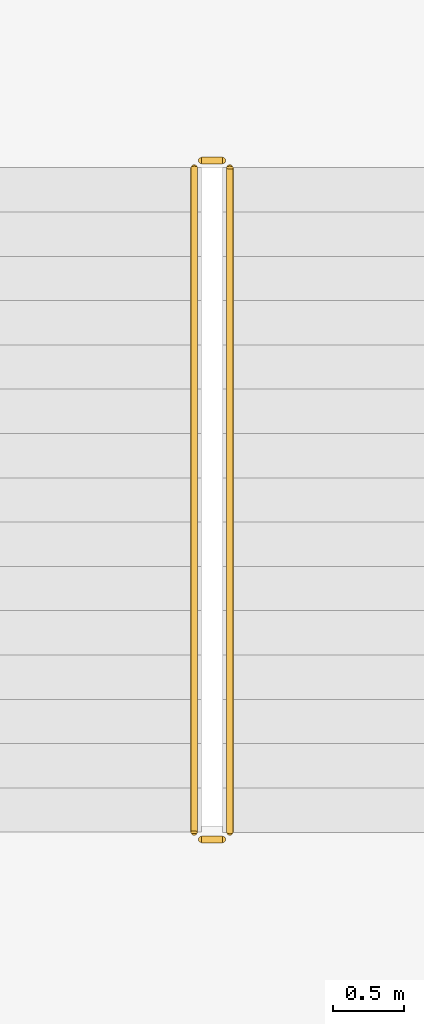
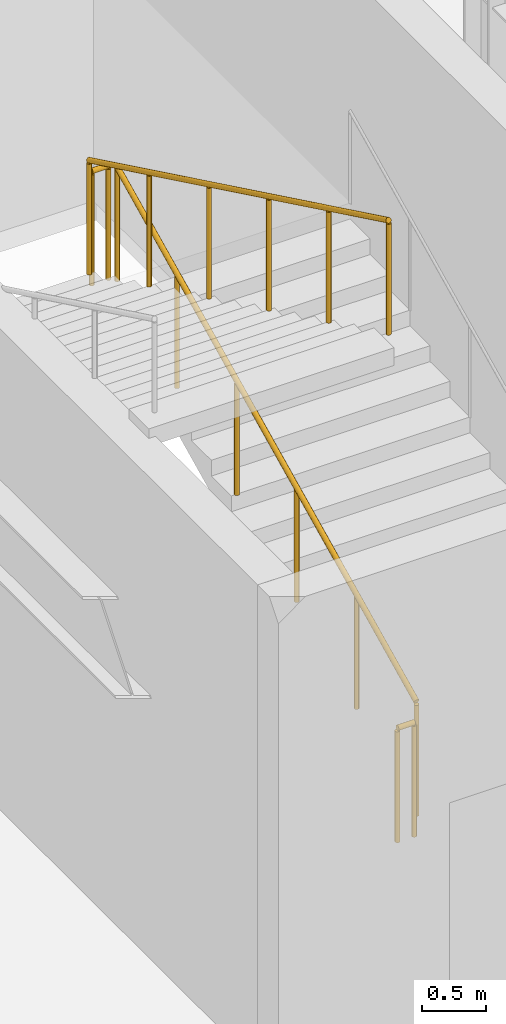
# One storey, part 124 of 126: 4 railings.
"""IFC4 building model written with IfcOpenShell, lengths in metres."""

import ifcopenshell
import ifcopenshell.guid

model = None  # the IFC model being written
_history = None  # IfcOwnerHistory: only IFC2X3 demands one
_inside = {}  # id of a spatial element -> (the spatial element, [elements in it])
_under = {}  # id of a project, library or spatial element -> (it, [spatial elements below it])
_declared = {}  # id of a project -> (the project, [libraries it declares])
_typed = {}  # id of a type object -> (the type object, [elements of that type])
_made_of = {}  # id of a material, layer set ... -> (it, [elements and type objects made of it])


def new_model(schema):
    """Start an empty IFC model of exactly this schema.

    Asked for "IFC4X3", IfcOpenShell would pick the latest addendum, in which some entities
    have other attributes; the version numbers below select the first issue.
    IFC2X3 requires an IfcOwnerHistory on every rooted entity: one is made here for all.
    """
    global model, _history
    if schema == "IFC4X3":
        model = ifcopenshell.file(schema_version=(4, 3, 0, 0))
    else:
        model = ifcopenshell.file(schema=schema)
    _inside.clear()
    _under.clear()
    _declared.clear()
    _typed.clear()
    _made_of.clear()
    _history = None
    if model.schema == "IFC2X3":
        org = make("IfcOrganization", Name="unknown")
        user = make(
            "IfcPersonAndOrganization",
            ThePerson=make("IfcPerson", FamilyName="unknown"),
            TheOrganization=org,
        )
        app = make(
            "IfcApplication",
            ApplicationDeveloper=org,
            Version="unknown",
            ApplicationFullName="unknown",
            ApplicationIdentifier="unknown",
        )
        _history = make(
            "IfcOwnerHistory",
            OwningUser=user,
            OwningApplication=app,
            ChangeAction="ADDED",
            CreationDate=0,
        )
    return model


def make(cls, **values):
    """One entity of the class cls with the attributes given. An attribute that is None is left unset."""
    return model.create_entity(
        cls, **{name: value for name, value in values.items() if value is not None}
    )


def rooted(cls, **values):
    """An entity with a GlobalId (a new one), such as an element, a storey or a relation."""
    return make(cls, GlobalId=ifcopenshell.guid.new(), OwnerHistory=_history, **values)


def si_unit(unit_type, name, prefix=None):
    """IfcSIUnit, for example si_unit("LENGTHUNIT", "METRE", prefix="MILLI")."""
    return make("IfcSIUnit", UnitType=unit_type, Prefix=prefix, Name=name)


def assignment(units):
    """IfcUnitAssignment: the units of a project."""
    return None if units is None else make("IfcUnitAssignment", Units=units)


def point(xyz):
    """IfcCartesianPoint."""
    return None if xyz is None else make("IfcCartesianPoint", Coordinates=xyz)


def direction(xyz):
    """IfcDirection."""
    return None if xyz is None else make("IfcDirection", DirectionRatios=xyz)


def frame(location, z_axis=None, x_axis=None):
    """IfcAxis2Placement3D, a coordinate frame: its origin and axes. An axis left out is left unset."""
    return make(
        "IfcAxis2Placement3D",
        Location=point(location),
        Axis=direction(z_axis),
        RefDirection=direction(x_axis),
    )


def frame_2d(location, x_axis=None):
    """IfcAxis2Placement2D, a coordinate frame in the plane: its origin and x axis."""
    return make(
        "IfcAxis2Placement2D", Location=point(location), RefDirection=direction(x_axis)
    )


def origin():
    """The frame at (0, 0, 0) with its axes left unset."""
    return frame((0.0, 0.0, 0.0))


def origin_2d():
    """The frame at (0, 0) in the plane with its x axis left unset."""
    return frame_2d((0.0, 0.0))


def place(relative_to, where):
    """IfcLocalPlacement: puts the frame where relative to a parent placement (None: the world)."""
    return make(
        "IfcLocalPlacement", PlacementRelTo=relative_to, RelativePlacement=where
    )


def context(
    kind, dimensions, precision=None, world=None, true_north=None, identifier=None
):
    """IfcGeometricRepresentationContext, for example the 3D "Model" context."""
    return make(
        "IfcGeometricRepresentationContext",
        ContextIdentifier=identifier,
        ContextType=kind,
        CoordinateSpaceDimension=dimensions,
        Precision=precision,
        WorldCoordinateSystem=world,
        TrueNorth=true_north,
    )


def subcontext(parent, identifier, kind, view, scale=None):
    """IfcGeometricRepresentationSubContext, for example "Body" below "Model"."""
    return make(
        "IfcGeometricRepresentationSubContext",
        ContextIdentifier=identifier,
        ContextType=kind,
        ParentContext=parent,
        TargetScale=scale,
        TargetView=view,
    )


def project(units=None, contexts=None):
    """IfcProject with its units and contexts."""
    return rooted(
        "IfcProject",
        Name="project",
        RepresentationContexts=contexts,
        UnitsInContext=assignment(units),
    )


def spatial(cls, under=None, at=None, **own):
    """A site, building, storey or space (cls), placed at a placement, below another one or the project."""
    s = rooted(cls, ObjectPlacement=at, **own)
    if under is not None:
        _under.setdefault(under.id(), (under, []))[1].append(s)
    return s


def profile(cls, at=None, kind="AREA", **sizes):
    """A parametric profile (cls). Its sizes go by their IFC names, for example OverallWidth=200.0."""
    return make(cls, ProfileType=kind, Position=at, **sizes)


def circle(**sizes):
    """IfcCircleProfileDef."""
    return profile("IfcCircleProfileDef", **sizes)


def extrude(swept, where, along, depth):
    """IfcExtrudedAreaSolid: the profile swept, set in the frame where, extruded along a direction by depth."""
    return make(
        "IfcExtrudedAreaSolid",
        SweptArea=swept,
        Position=where,
        ExtrudedDirection=direction(along),
        Depth=depth,
    )


def shape(context_of_items, identifier, shape_type, items):
    """IfcShapeRepresentation: the items that make up one representation, for example the "Body"."""
    return make(
        "IfcShapeRepresentation",
        ContextOfItems=context_of_items,
        RepresentationIdentifier=identifier,
        RepresentationType=shape_type,
        Items=items,
    )


def material(Name=None, Category=None):
    """IfcMaterial."""
    return make("IfcMaterial", Name=Name, Category=Category)


def made_of(thing, what):
    """Note that an element or type object is made of a material, layer set ...; save() writes the relation."""
    if what is not None:
        _made_of.setdefault(what.id(), (what, []))[1].append(thing)
    return thing


def type_object(cls, material=None, **own):
    """A type object (cls), such as IfcWallType, which elements share."""
    return made_of(rooted(cls, **own), material)


def element(
    cls,
    number,
    at=None,
    inside=None,
    cuts=None,
    type_object=None,
    material=None,
    context=None,
    identifier="Body",
    shape_type=None,
    held_by="IfcProductDefinitionShape",
    body=None,
    shapes=None,
    **own,
):
    """One element of the class cls, such as IfcWall. Its Tag is "e" and its number.

    at: its placement. inside: the storey or other place that contains it. cuts: it is an
    opening in that element (IfcRelVoidsElement). A single representation is given by context,
    identifier, shape_type and body (its items); several are given by shapes. held_by: the class
    of the entity that holds the representations. save() writes the other relations.
    """
    e = rooted(cls, Tag="e%d" % number, ObjectPlacement=at, **own)
    if body is not None:
        shapes = [shape(context, identifier, shape_type, body)]
    if shapes is not None:
        e.Representation = make(held_by, Representations=shapes)
    if inside is not None:
        _inside.setdefault(inside.id(), (inside, []))[1].append(e)
    if cuts is not None:
        rooted(
            "IfcRelVoidsElement", RelatingBuildingElement=cuts, RelatedOpeningElement=e
        )
    if type_object is not None:
        _typed.setdefault(type_object.id(), (type_object, []))[1].append(e)
    return made_of(e, material)


def aggregate(whole, parts):
    """IfcRelAggregates: a whole, such as a stair, and the parts it consists of."""
    return rooted("IfcRelAggregates", RelatingObject=whole, RelatedObjects=parts)


def save(model, path):
    """Write the relations noted so far, then the file.

    IfcRelAggregates (storeys below a building ...), IfcRelContainedInSpatialStructure (elements
    in a storey), IfcRelDefinesByType, IfcRelAssociatesMaterial and IfcRelDeclares: one each for
    every whole, place, type object, material and project.
    """
    for whole, parts in _under.values():
        aggregate(whole, parts)
    for where, things in _inside.values():
        rooted(
            "IfcRelContainedInSpatialStructure",
            RelatedElements=things,
            RelatingStructure=where,
        )
    for kind, things in _typed.values():
        rooted("IfcRelDefinesByType", RelatedObjects=things, RelatingType=kind)
    for what, things in _made_of.values():
        rooted("IfcRelAssociatesMaterial", RelatedObjects=things, RelatingMaterial=what)
    for by, libraries in _declared.values():
        rooted("IfcRelDeclares", RelatingContext=by, RelatedDefinitions=libraries)
    model.write(path)


model = new_model("IFC4")

# Units and contexts
model_context = context("Model", 3, precision=1e-05, world=origin(), true_north=direction((0.0, 1.0)))
body_context = subcontext(model_context, "Body", "Model", "MODEL_VIEW")
ifc_project = project(units=[si_unit("LENGTHUNIT", "METRE"), si_unit("AREAUNIT", "SQUARE_METRE"), si_unit("VOLUMEUNIT", "CUBIC_METRE"), si_unit("PLANEANGLEUNIT", "RADIAN"), si_unit("MASSUNIT", "GRAM", prefix="KILO")], contexts=[model_context])

# Site, building, storey
site_placement = place(None, origin())
site = spatial("IfcSite", under=ifc_project, at=site_placement, CompositionType="ELEMENT")
building_placement = place(site_placement, origin())
building = spatial("IfcBuilding", under=site, at=building_placement, Name="Solvadek Multi-Sports Hall", CompositionType="ELEMENT")
storey_placement = place(building_placement, frame((0.0, 0.0, 9.60009765625)))
storey = spatial("IfcBuildingStorey", under=building, at=storey_placement, Name="L02", CompositionType="ELEMENT", Elevation=9.60009765625)

# Railings
ifc_material = material(Name="Steel E250 (250 MPa)", Category="steel")
railing_type = type_object("IfcRailingType", Name="INT-RAL-GRD115", PredefinedType="BALUSTRADE", material=ifc_material)
railing_1_placement = place(storey_placement, frame((61.39990234375, 99.699951171875, 0.14990234375)))
element("IfcRailing", 1, at=railing_1_placement, inside=storey, type_object=railing_type, Name="L02 ST-03 stair guard 1", PredefinedType="BALUSTRADE", context=body_context, shape_type="SweptSolid", body=[
    extrude(circle(Radius=0.02392578125, at=origin_2d()), frame((0.0, 0.0, 1.076171875), z_axis=(0.0, 0.900164630878, 0.435549810373), x_axis=(-1.0, 0.0, 0.0)), (0.0, 0.0, 1.0), 5.165771484375),
    extrude(circle(Radius=0.02099609375, at=origin_2d()), origin(), (0.0, 0.0, 1.0), 1.052001953125),
    extrude(circle(Radius=0.02099609375, at=origin_2d()), frame((0.0, 0.929931640625, 0.449951171875)), (0.0, 0.0, 1.0), 1.052001953125),
    extrude(circle(Radius=0.02099609375, at=origin_2d()), frame((0.0, 1.860107421875, 0.89990234375)), (0.0, 0.0, 1.0), 1.052001953125),
    extrude(circle(Radius=0.02099609375, at=origin_2d()), frame((0.0, 2.7900390625, 1.35009765625)), (0.0, 0.0, 1.0), 1.052001953125),
    extrude(circle(Radius=0.02099609375, at=origin_2d()), frame((0.0, 3.72021484375, 1.800048828125)), (0.0, 0.0, 1.0), 1.052001953125),
    extrude(circle(Radius=0.02099609375, at=origin_2d()), frame((0.0, 4.650146484375, 2.25)), (0.0, 0.0, 1.0), 1.052001953125),
])
railing_2_placement = place(storey_placement, frame((61.35009765625, 104.39990234375, 2.39990234375)))
element("IfcRailing", 2, at=railing_2_placement, inside=storey, type_object=railing_type, Name="L02 ST-03 stair guard 2", PredefinedType="BALUSTRADE", context=body_context, shape_type="SweptSolid", body=[
    extrude(circle(Radius=0.02392578125, at=origin_2d()), frame((0.0, 0.0, 1.076171875), z_axis=(-1.0, 0.0, 0.0), x_axis=(0.0, -1.0, 0.0)), (0.0, 0.0, 1.0), 0.150146484375),
    extrude(circle(Radius=0.02099609375, at=origin_2d()), origin(), (0.0, 0.0, 1.0), 1.052001953125),
    extrude(circle(Radius=0.02099609375, at=origin_2d()), frame((-0.150146484375, 0.0, 0.0)), (0.0, 0.0, 1.0), 1.052001953125),
])
railing_3_placement = place(storey_placement, frame((61.14990234375, 104.35009765625, 2.5498046875)))
element("IfcRailing", 3, at=railing_3_placement, inside=storey, type_object=railing_type, Name="L02 ST-03 stair guard 3", PredefinedType="BALUSTRADE", context=body_context, shape_type="SweptSolid", body=[
    extrude(circle(Radius=0.02392578125, at=origin_2d()), frame((0.0, 0.0, 1.076171875), z_axis=(0.0, -0.900164630878, 0.435549810373), x_axis=(1.0, 0.0, 0.0)), (0.0, 0.0, 1.0), 5.165771484375),
    extrude(circle(Radius=0.02099609375, at=origin_2d()), origin(), (0.0, 0.0, 1.0), 1.052001953125),
    extrude(circle(Radius=0.02099609375, at=origin_2d()), frame((0.0, -0.929931640625, 0.449951171875)), (0.0, 0.0, 1.0), 1.052001953125),
    extrude(circle(Radius=0.02099609375, at=origin_2d()), frame((0.0, -1.860107421875, 0.89990234375)), (0.0, 0.0, 1.0), 1.052001953125),
    extrude(circle(Radius=0.02099609375, at=origin_2d()), frame((0.0, -2.7900390625, 1.35009765625)), (0.0, 0.0, 1.0), 1.052001953125),
    extrude(circle(Radius=0.02099609375, at=origin_2d()), frame((0.0, -3.72021484375, 1.800048828125)), (0.0, 0.0, 1.0), 1.052001953125),
    extrude(circle(Radius=0.02099609375, at=origin_2d()), frame((0.0, -4.650146484375, 2.25)), (0.0, 0.0, 1.0), 1.052001953125),
])
railing_4_placement = place(storey_placement, frame((61.35009765625, 99.64990234375, 0.0)))
element("IfcRailing", 4, at=railing_4_placement, inside=storey, type_object=railing_type, Name="L02 ST-03 stair guard 4", PredefinedType="BALUSTRADE", context=body_context, shape_type="SweptSolid", body=[
    extrude(circle(Radius=0.02392578125, at=origin_2d()), frame((0.0, 0.0, 1.076171875), z_axis=(-1.0, 0.0, 0.0), x_axis=(0.0, -1.0, 0.0)), (0.0, 0.0, 1.0), 0.150146484375),
    extrude(circle(Radius=0.02099609375, at=origin_2d()), origin(), (0.0, 0.0, 1.0), 1.052001953125),
    extrude(circle(Radius=0.02099609375, at=origin_2d()), frame((-0.150146484375, 0.0, 0.0)), (0.0, 0.0, 1.0), 1.052001953125),
])

save(model, "model.ifc")
